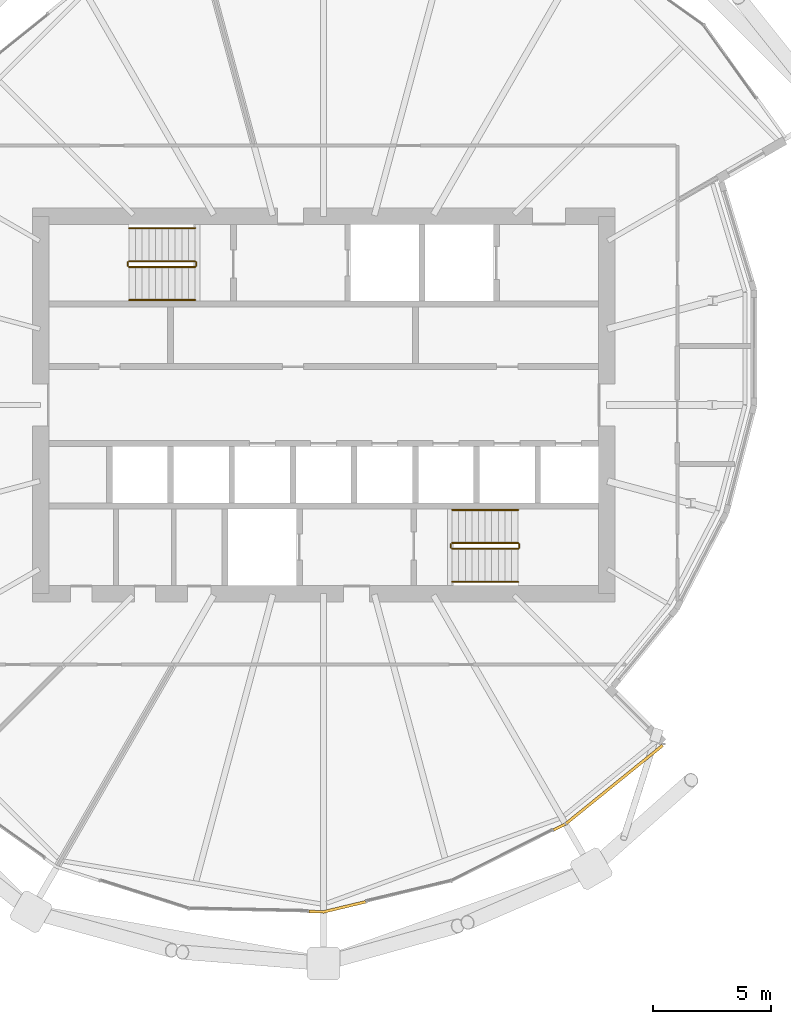
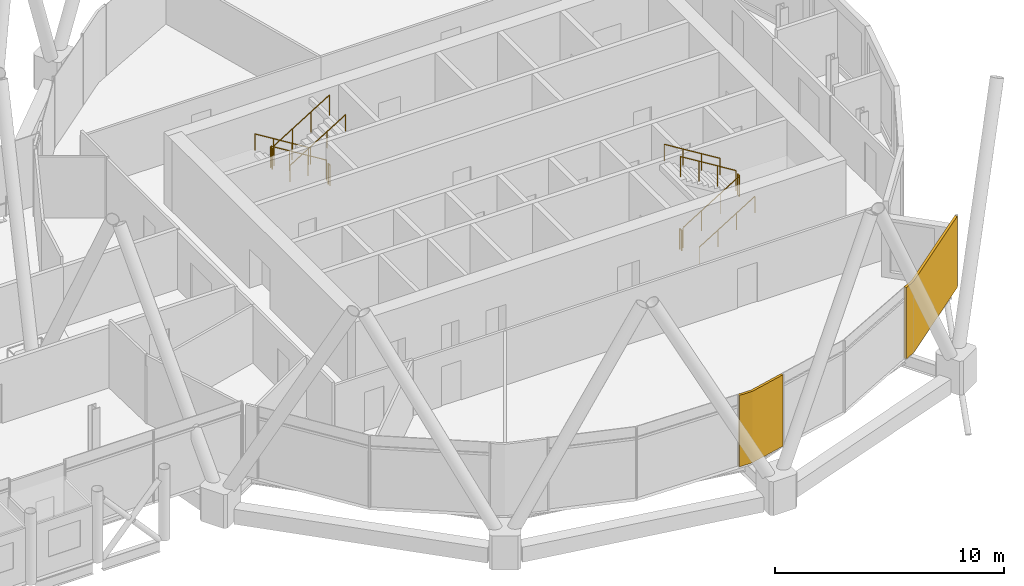
# One storey, part 34 of 35: 12 railings, 2 coverings.
"""IFC4 building model written with IfcOpenShell, lengths in metres."""

from ifc_helpers import new_model, si_unit, direction, frame, origin, origin_2d, place, context, subcontext, project, spatial, polyline, circle, outline, extrude, material, layer, layer_set, type_object, element, save


model = new_model("IFC4")

# Units and contexts
model_context = context("Model", 3, precision=1e-05, world=origin(), true_north=direction((0.0, 1.0)))
body_context = subcontext(model_context, "Body", "Model", "MODEL_VIEW")
ifc_project = project(units=[si_unit("LENGTHUNIT", "METRE"), si_unit("AREAUNIT", "SQUARE_METRE"), si_unit("VOLUMEUNIT", "CUBIC_METRE"), si_unit("PLANEANGLEUNIT", "RADIAN"), si_unit("MASSUNIT", "GRAM", prefix="KILO")], contexts=[model_context])

# Site, building, storey
site_placement = place(None, origin())
site = spatial("IfcSite", under=ifc_project, at=site_placement, CompositionType="ELEMENT")
building_placement = place(site_placement, origin())
building = spatial("IfcBuilding", under=site, at=building_placement, Name="Rimbun Link Towers", CompositionType="ELEMENT")
storey_placement = place(building_placement, frame((0.0, 0.0, 146.800048828125)))
storey = spatial("IfcBuildingStorey", under=building, at=storey_placement, Name="L35", CompositionType="ELEMENT", Elevation=146.800048828125)

# Coverings
ifc_material_1 = material(Name="Terracotta", Category="masonry")
ifc_layer = layer(ifc_material_1, 0.1201171875)
ifc_layer_set = layer_set([ifc_layer], Name="LINK PIER terracotta cladding 120")
covering_type = type_object("IfcCoveringType", Name="LINK PIER terracotta cladding 120", PredefinedType="CLADDING", material=ifc_layer_set)
covering_1_placement = place(storey_placement, origin())
element("IfcCovering", 1, at=covering_1_placement, inside=storey, type_object=covering_type, Name="LINK PIER cladding", PredefinedType="CLADDING", context=body_context, shape_type="SweptSolid", body=[
    extrude(outline(polyline([(33.52001953125, -21.0078125), (31.75, -21.43115234375), (31.130126953125, -21.418212890625), (31.127685546875, -21.5380859375), (31.762939453125, -21.551513671875), (33.548095703125, -21.12451171875), (33.52001953125, -21.0078125)])), origin(), (0.0, 0.0, 1.0), 3.800048828125),
])
covering_2_placement = place(storey_placement, origin())
element("IfcCovering", 2, at=covering_2_placement, inside=storey, type_object=covering_type, Name="LINK PIER cladding", PredefinedType="CLADDING", context=body_context, shape_type="SweptSolid", body=[
    extrude(outline(polyline([(46.092041015625, -14.38427734375), (41.9775390625, -17.714599609375), (41.468017578125, -17.970458984375), (41.52197265625, -18.07763671875), (42.04296875, -17.81591796875), (46.16748046875, -14.4775390625), (46.092041015625, -14.38427734375)])), origin(), (0.0, 0.0, 1.0), 3.800048828125),
])

# Railings
ifc_material_2 = material(Name="Stainless steel grade 316", Category="steel")
railing_type_1 = type_object("IfcRailingType", Name="Stair guard", PredefinedType="GUARDRAIL", material=ifc_material_2)
railing_1_placement = place(storey_placement, frame((26.300048828125, 6.10009765625, 0.172607421875)))
element("IfcRailing", 3, at=railing_1_placement, inside=storey, type_object=railing_type_1, Name="L35 ST3 stair guard 1", PredefinedType="GUARDRAIL", context=body_context, shape_type="SweptSolid", body=[
    extrude(circle(Radius=0.02392578125, at=origin_2d()), frame((0.0, 0.0, 1.076171875), z_axis=(-0.851089632645, 0.0, 0.525020415988), x_axis=(0.0, -1.0, 0.0)), (0.0, 0.0, 1.0), 3.2900390625),
    extrude(circle(Radius=0.02099609375, at=origin_2d()), origin(), (0.0, 0.0, 1.0), 1.052001953125),
    extrude(circle(Radius=0.02099609375, at=origin_2d()), frame((-0.933349609375, 0.0, 0.57568359375)), (0.0, 0.0, 1.0), 1.052001953125),
    extrude(circle(Radius=0.02099609375, at=origin_2d()), frame((-1.86669921875, 0.0, 1.151611328125)), (0.0, 0.0, 1.0), 1.052001953125),
    extrude(circle(Radius=0.02099609375, at=origin_2d()), frame((-2.800048828125, 0.0, 1.727294921875)), (0.0, 0.0, 1.0), 1.052001953125),
])
railing_2_placement = place(storey_placement, frame((23.449951171875, 6.050048828125, 1.89990234375)))
element("IfcRailing", 4, at=railing_2_placement, inside=storey, type_object=railing_type_1, Name="L35 ST3 stair guard 2", PredefinedType="GUARDRAIL", context=body_context, shape_type="SweptSolid", body=[
    extrude(circle(Radius=0.02392578125, at=origin_2d()), frame((0.0, 0.0, 1.076171875), z_axis=(0.0, -1.0, 0.0), x_axis=(1.0, 0.0, 0.0)), (0.0, 0.0, 1.0), 0.150146484375),
    extrude(circle(Radius=0.02099609375, at=origin_2d()), origin(), (0.0, 0.0, 1.0), 1.052001953125),
    extrude(circle(Radius=0.02099609375, at=origin_2d()), frame((0.0, -0.150146484375, 0.0)), (0.0, 0.0, 1.0), 1.052001953125),
])
railing_3_placement = place(storey_placement, frame((23.5, 5.85009765625, 2.07275390625)))
element("IfcRailing", 5, at=railing_3_placement, inside=storey, type_object=railing_type_1, Name="L35 ST3 stair guard 3", PredefinedType="GUARDRAIL", context=body_context, shape_type="SweptSolid", body=[
    extrude(circle(Radius=0.02392578125, at=origin_2d()), frame((0.0, 0.0, 1.076171875), z_axis=(0.851089632645, 0.0, 0.525020415988), x_axis=(0.0, 1.0, 0.0)), (0.0, 0.0, 1.0), 3.2900390625),
    extrude(circle(Radius=0.02099609375, at=origin_2d()), origin(), (0.0, 0.0, 1.0), 1.052001953125),
    extrude(circle(Radius=0.02099609375, at=origin_2d()), frame((0.933349609375, 0.0, 0.57568359375)), (0.0, 0.0, 1.0), 1.052001953125),
    extrude(circle(Radius=0.02099609375, at=origin_2d()), frame((1.86669921875, 0.0, 1.151611328125)), (0.0, 0.0, 1.0), 1.052001953125),
    extrude(circle(Radius=0.02099609375, at=origin_2d()), frame((2.800048828125, 0.0, 1.727294921875)), (0.0, 0.0, 1.0), 1.052001953125),
])
railing_4_placement = place(storey_placement, frame((26.35009765625, 6.050048828125, 0.0)))
element("IfcRailing", 6, at=railing_4_placement, inside=storey, type_object=railing_type_1, Name="L35 ST3 stair guard 4", PredefinedType="GUARDRAIL", context=body_context, shape_type="SweptSolid", body=[
    extrude(circle(Radius=0.02392578125, at=origin_2d()), frame((0.0, 0.0, 1.076171875), z_axis=(0.0, -1.0, 0.0), x_axis=(1.0, 0.0, 0.0)), (0.0, 0.0, 1.0), 0.150146484375),
    extrude(circle(Radius=0.02099609375, at=origin_2d()), origin(), (0.0, 0.0, 1.0), 1.052001953125),
    extrude(circle(Radius=0.02099609375, at=origin_2d()), frame((0.0, -0.150146484375, 0.0)), (0.0, 0.0, 1.0), 1.052001953125),
])
railing_5_placement = place(storey_placement, frame((37.199951171875, -6.10009765625, 0.172607421875)))
element("IfcRailing", 7, at=railing_5_placement, inside=storey, type_object=railing_type_1, Name="L35 ST4 stair guard 1", PredefinedType="GUARDRAIL", context=body_context, shape_type="SweptSolid", body=[
    extrude(circle(Radius=0.02392578125, at=origin_2d()), frame((0.0, 0.0, 1.076171875), z_axis=(0.851089632645, 0.0, 0.525020415988), x_axis=(0.0, 1.0, 0.0)), (0.0, 0.0, 1.0), 3.2900390625),
    extrude(circle(Radius=0.02099609375, at=origin_2d()), origin(), (0.0, 0.0, 1.0), 1.052001953125),
    extrude(circle(Radius=0.02099609375, at=origin_2d()), frame((0.933349609375, 0.0, 0.57568359375)), (0.0, 0.0, 1.0), 1.052001953125),
    extrude(circle(Radius=0.02099609375, at=origin_2d()), frame((1.86669921875, 0.0, 1.151611328125)), (0.0, 0.0, 1.0), 1.052001953125),
    extrude(circle(Radius=0.02099609375, at=origin_2d()), frame((2.800048828125, 0.0, 1.727294921875)), (0.0, 0.0, 1.0), 1.052001953125),
])
railing_6_placement = place(storey_placement, frame((40.050048828125, -6.050048828125, 1.89990234375)))
element("IfcRailing", 8, at=railing_6_placement, inside=storey, type_object=railing_type_1, Name="L35 ST4 stair guard 2", PredefinedType="GUARDRAIL", context=body_context, shape_type="SweptSolid", body=[
    extrude(circle(Radius=0.02392578125, at=origin_2d()), frame((0.0, 0.0, 1.076171875), z_axis=(0.0, 1.0, 0.0), x_axis=(-1.0, 0.0, 0.0)), (0.0, 0.0, 1.0), 0.150146484375),
    extrude(circle(Radius=0.02099609375, at=origin_2d()), origin(), (0.0, 0.0, 1.0), 1.052001953125),
    extrude(circle(Radius=0.02099609375, at=origin_2d()), frame((0.0, 0.150146484375, 0.0)), (0.0, 0.0, 1.0), 1.052001953125),
])
railing_7_placement = place(storey_placement, frame((40.0, -5.85009765625, 2.07275390625)))
element("IfcRailing", 9, at=railing_7_placement, inside=storey, type_object=railing_type_1, Name="L35 ST4 stair guard 3", PredefinedType="GUARDRAIL", context=body_context, shape_type="SweptSolid", body=[
    extrude(circle(Radius=0.02392578125, at=origin_2d()), frame((0.0, 0.0, 1.076171875), z_axis=(-0.851089632645, 0.0, 0.525020415988), x_axis=(0.0, -1.0, 0.0)), (0.0, 0.0, 1.0), 3.2900390625),
    extrude(circle(Radius=0.02099609375, at=origin_2d()), origin(), (0.0, 0.0, 1.0), 1.052001953125),
    extrude(circle(Radius=0.02099609375, at=origin_2d()), frame((-0.933349609375, 0.0, 0.57568359375)), (0.0, 0.0, 1.0), 1.052001953125),
    extrude(circle(Radius=0.02099609375, at=origin_2d()), frame((-1.86669921875, 0.0, 1.151611328125)), (0.0, 0.0, 1.0), 1.052001953125),
    extrude(circle(Radius=0.02099609375, at=origin_2d()), frame((-2.800048828125, 0.0, 1.727294921875)), (0.0, 0.0, 1.0), 1.052001953125),
])
railing_8_placement = place(storey_placement, frame((37.14990234375, -6.050048828125, 0.0)))
element("IfcRailing", 10, at=railing_8_placement, inside=storey, type_object=railing_type_1, Name="L35 ST4 stair guard 4", PredefinedType="GUARDRAIL", context=body_context, shape_type="SweptSolid", body=[
    extrude(circle(Radius=0.02392578125, at=origin_2d()), frame((0.0, 0.0, 1.076171875), z_axis=(0.0, 1.0, 0.0), x_axis=(-1.0, 0.0, 0.0)), (0.0, 0.0, 1.0), 0.150146484375),
    extrude(circle(Radius=0.02099609375, at=origin_2d()), origin(), (0.0, 0.0, 1.0), 1.052001953125),
    extrude(circle(Radius=0.02099609375, at=origin_2d()), frame((0.0, 0.150146484375, 0.0)), (0.0, 0.0, 1.0), 1.052001953125),
])
ifc_material_3 = material(Name="Stainless steel grade 316", Category="steel")
railing_type_2 = type_object("IfcRailingType", Name="Stair handrail", PredefinedType="HANDRAIL", material=ifc_material_3)
railing_9_placement = place(storey_placement, frame((26.300048828125, 7.5, 0.172607421875)))
element("IfcRailing", 11, at=railing_9_placement, inside=storey, type_object=railing_type_2, Name="L35 ST3 stair handrail 1", PredefinedType="HANDRAIL", context=body_context, shape_type="SweptSolid", body=[
    extrude(circle(Radius=0.02392578125, at=origin_2d()), frame((0.0, 0.0, 0.8759765625), z_axis=(-0.851089632645, 0.0, 0.525020415988), x_axis=(0.0, -1.0, 0.0)), (0.0, 0.0, 1.0), 3.2900390625),
    extrude(circle(Radius=0.02099609375, at=origin_2d()), origin(), (0.0, 0.0, 1.0), 0.851806640625),
    extrude(circle(Radius=0.02099609375, at=origin_2d()), frame((-0.933349609375, 0.0, 0.57568359375)), (0.0, 0.0, 1.0), 0.851806640625),
    extrude(circle(Radius=0.02099609375, at=origin_2d()), frame((-1.86669921875, 0.0, 1.151611328125)), (0.0, 0.0, 1.0), 0.851806640625),
    extrude(circle(Radius=0.02099609375, at=origin_2d()), frame((-2.800048828125, 0.0, 1.727294921875)), (0.0, 0.0, 1.0), 0.851806640625),
])
for number, where, name in (
    (12, (23.5, 4.449951171875, 2.07275390625), "L35 ST3 stair handrail 2"),
    (13, (37.199951171875, -7.5, 0.172607421875), "L35 ST4 stair handrail 1"),
):
    element("IfcRailing", number, at=place(storey_placement, frame(where)), inside=storey, type_object=railing_type_2, Name=name, PredefinedType="HANDRAIL", context=body_context, shape_type="SweptSolid", body=[
        extrude(circle(Radius=0.02392578125, at=origin_2d()), frame((0.0, 0.0, 0.8759765625), z_axis=(0.851089632645, 0.0, 0.525020415988), x_axis=(0.0, 1.0, 0.0)), (0.0, 0.0, 1.0), 3.2900390625),
        extrude(circle(Radius=0.02099609375, at=origin_2d()), origin(), (0.0, 0.0, 1.0), 0.851806640625),
        extrude(circle(Radius=0.02099609375, at=origin_2d()), frame((0.933349609375, 0.0, 0.57568359375)), (0.0, 0.0, 1.0), 0.851806640625),
        extrude(circle(Radius=0.02099609375, at=origin_2d()), frame((1.86669921875, 0.0, 1.151611328125)), (0.0, 0.0, 1.0), 0.851806640625),
        extrude(circle(Radius=0.02099609375, at=origin_2d()), frame((2.800048828125, 0.0, 1.727294921875)), (0.0, 0.0, 1.0), 0.851806640625),
    ])
railing_10_placement = place(storey_placement, frame((40.0, -4.449951171875, 2.07275390625)))
element("IfcRailing", 14, at=railing_10_placement, inside=storey, type_object=railing_type_2, Name="L35 ST4 stair handrail 2", PredefinedType="HANDRAIL", context=body_context, shape_type="SweptSolid", body=[
    extrude(circle(Radius=0.02392578125, at=origin_2d()), frame((0.0, 0.0, 0.8759765625), z_axis=(-0.851089632645, 0.0, 0.525020415988), x_axis=(0.0, -1.0, 0.0)), (0.0, 0.0, 1.0), 3.2900390625),
    extrude(circle(Radius=0.02099609375, at=origin_2d()), origin(), (0.0, 0.0, 1.0), 0.851806640625),
    extrude(circle(Radius=0.02099609375, at=origin_2d()), frame((-0.933349609375, 0.0, 0.57568359375)), (0.0, 0.0, 1.0), 0.851806640625),
    extrude(circle(Radius=0.02099609375, at=origin_2d()), frame((-1.86669921875, 0.0, 1.151611328125)), (0.0, 0.0, 1.0), 0.851806640625),
    extrude(circle(Radius=0.02099609375, at=origin_2d()), frame((-2.800048828125, 0.0, 1.727294921875)), (0.0, 0.0, 1.0), 0.851806640625),
])

save(model, "model.ifc")
